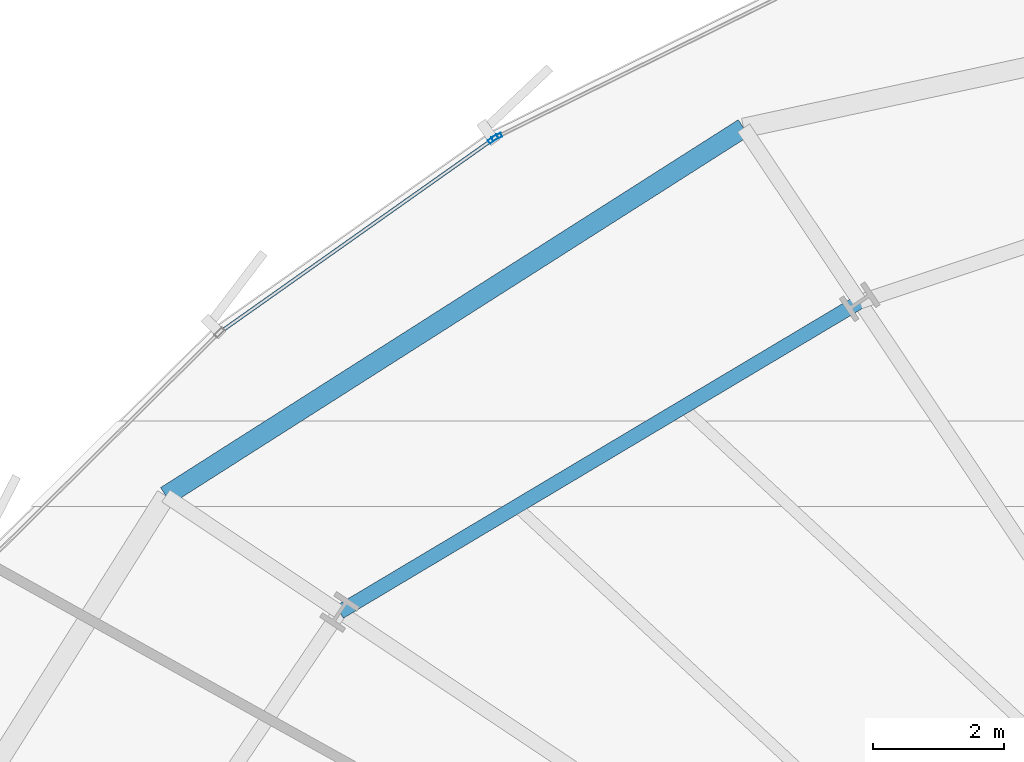
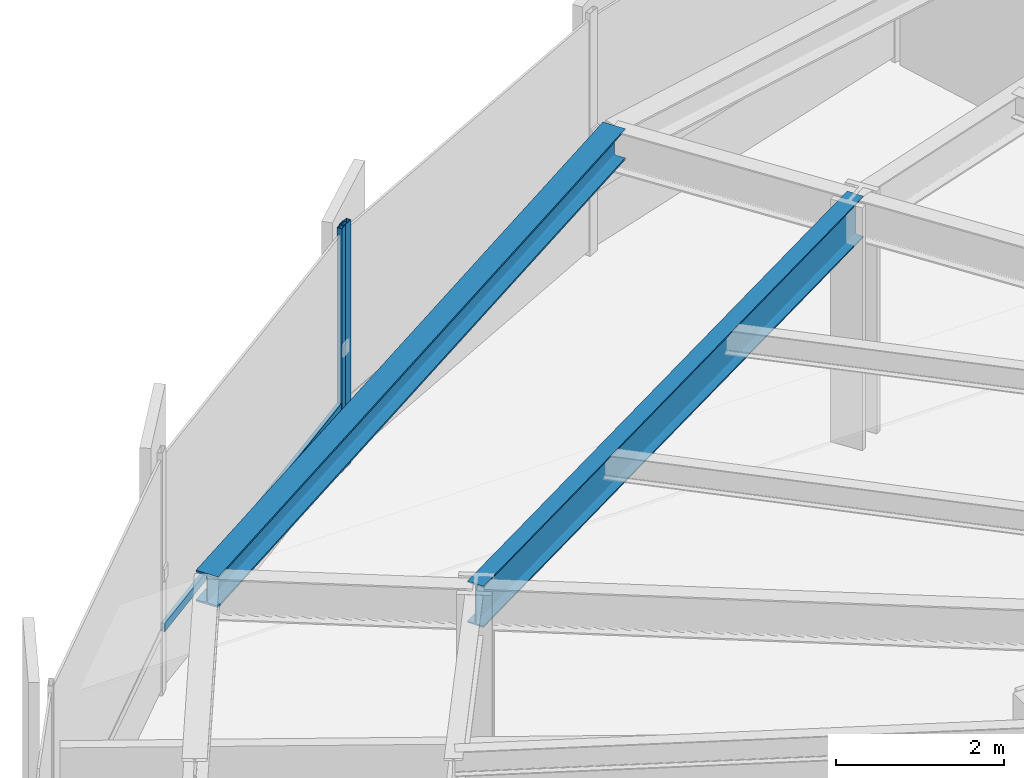
# One storey, part 19 of 38: 3 members, 2 beams, 2 elements without a shape of their own.
"""IFC4 building model written with IfcOpenShell, lengths in metres."""

import ifcopenshell
import ifcopenshell.guid

model = None  # the IFC model being written
_history = None  # IfcOwnerHistory: only IFC2X3 demands one
_inside = {}  # id of a spatial element -> (the spatial element, [elements in it])
_under = {}  # id of a project, library or spatial element -> (it, [spatial elements below it])
_declared = {}  # id of a project -> (the project, [libraries it declares])
_typed = {}  # id of a type object -> (the type object, [elements of that type])
_made_of = {}  # id of a material, layer set ... -> (it, [elements and type objects made of it])


def new_model(schema):
    """Start an empty IFC model of exactly this schema.

    Asked for "IFC4X3", IfcOpenShell would pick the latest addendum, in which some entities
    have other attributes; the version numbers below select the first issue.
    IFC2X3 requires an IfcOwnerHistory on every rooted entity: one is made here for all.
    """
    global model, _history
    if schema == "IFC4X3":
        model = ifcopenshell.file(schema_version=(4, 3, 0, 0))
    else:
        model = ifcopenshell.file(schema=schema)
    _inside.clear()
    _under.clear()
    _declared.clear()
    _typed.clear()
    _made_of.clear()
    _history = None
    if model.schema == "IFC2X3":
        org = make("IfcOrganization", Name="unknown")
        user = make(
            "IfcPersonAndOrganization",
            ThePerson=make("IfcPerson", FamilyName="unknown"),
            TheOrganization=org,
        )
        app = make(
            "IfcApplication",
            ApplicationDeveloper=org,
            Version="unknown",
            ApplicationFullName="unknown",
            ApplicationIdentifier="unknown",
        )
        _history = make(
            "IfcOwnerHistory",
            OwningUser=user,
            OwningApplication=app,
            ChangeAction="ADDED",
            CreationDate=0,
        )
    return model


def make(cls, **values):
    """One entity of the class cls with the attributes given. An attribute that is None is left unset."""
    return model.create_entity(
        cls, **{name: value for name, value in values.items() if value is not None}
    )


def rooted(cls, **values):
    """An entity with a GlobalId (a new one), such as an element, a storey or a relation."""
    return make(cls, GlobalId=ifcopenshell.guid.new(), OwnerHistory=_history, **values)


def si_unit(unit_type, name, prefix=None):
    """IfcSIUnit, for example si_unit("LENGTHUNIT", "METRE", prefix="MILLI")."""
    return make("IfcSIUnit", UnitType=unit_type, Prefix=prefix, Name=name)


def assignment(units):
    """IfcUnitAssignment: the units of a project."""
    return None if units is None else make("IfcUnitAssignment", Units=units)


def point(xyz):
    """IfcCartesianPoint."""
    return None if xyz is None else make("IfcCartesianPoint", Coordinates=xyz)


def direction(xyz):
    """IfcDirection."""
    return None if xyz is None else make("IfcDirection", DirectionRatios=xyz)


def frame(location, z_axis=None, x_axis=None):
    """IfcAxis2Placement3D, a coordinate frame: its origin and axes. An axis left out is left unset."""
    return make(
        "IfcAxis2Placement3D",
        Location=point(location),
        Axis=direction(z_axis),
        RefDirection=direction(x_axis),
    )


def frame_2d(location, x_axis=None):
    """IfcAxis2Placement2D, a coordinate frame in the plane: its origin and x axis."""
    return make(
        "IfcAxis2Placement2D", Location=point(location), RefDirection=direction(x_axis)
    )


def origin():
    """The frame at (0, 0, 0) with its axes left unset."""
    return frame((0.0, 0.0, 0.0))


def origin_2d():
    """The frame at (0, 0) in the plane with its x axis left unset."""
    return frame_2d((0.0, 0.0))


def place(relative_to, where):
    """IfcLocalPlacement: puts the frame where relative to a parent placement (None: the world)."""
    return make(
        "IfcLocalPlacement", PlacementRelTo=relative_to, RelativePlacement=where
    )


def context(
    kind, dimensions, precision=None, world=None, true_north=None, identifier=None
):
    """IfcGeometricRepresentationContext, for example the 3D "Model" context."""
    return make(
        "IfcGeometricRepresentationContext",
        ContextIdentifier=identifier,
        ContextType=kind,
        CoordinateSpaceDimension=dimensions,
        Precision=precision,
        WorldCoordinateSystem=world,
        TrueNorth=true_north,
    )


def subcontext(parent, identifier, kind, view, scale=None):
    """IfcGeometricRepresentationSubContext, for example "Body" below "Model"."""
    return make(
        "IfcGeometricRepresentationSubContext",
        ContextIdentifier=identifier,
        ContextType=kind,
        ParentContext=parent,
        TargetScale=scale,
        TargetView=view,
    )


def project(units=None, contexts=None):
    """IfcProject with its units and contexts."""
    return rooted(
        "IfcProject",
        Name="project",
        RepresentationContexts=contexts,
        UnitsInContext=assignment(units),
    )


def spatial(cls, under=None, at=None, **own):
    """A site, building, storey or space (cls), placed at a placement, below another one or the project."""
    s = rooted(cls, ObjectPlacement=at, **own)
    if under is not None:
        _under.setdefault(under.id(), (under, []))[1].append(s)
    return s


def profile(cls, at=None, kind="AREA", **sizes):
    """A parametric profile (cls). Its sizes go by their IFC names, for example OverallWidth=200.0."""
    return make(cls, ProfileType=kind, Position=at, **sizes)


def hollow_rectangle(**sizes):
    """IfcRectangleHollowProfileDef."""
    return profile("IfcRectangleHollowProfileDef", **sizes)


def i_section(**sizes):
    """IfcIShapeProfileDef."""
    return profile("IfcIShapeProfileDef", **sizes)


def extrude(swept, where, along, depth):
    """IfcExtrudedAreaSolid: the profile swept, set in the frame where, extruded along a direction by depth."""
    return make(
        "IfcExtrudedAreaSolid",
        SweptArea=swept,
        Position=where,
        ExtrudedDirection=direction(along),
        Depth=depth,
    )


def shape(context_of_items, identifier, shape_type, items):
    """IfcShapeRepresentation: the items that make up one representation, for example the "Body"."""
    return make(
        "IfcShapeRepresentation",
        ContextOfItems=context_of_items,
        RepresentationIdentifier=identifier,
        RepresentationType=shape_type,
        Items=items,
    )


def source(mapping_origin, context_of_items, identifier, shape_type, items):
    """IfcRepresentationMap: a shape defined once, which mapped items show again and again."""
    return make(
        "IfcRepresentationMap",
        MappingOrigin=mapping_origin,
        MappedRepresentation=shape(context_of_items, identifier, shape_type, items),
    )


def transform(
    local_origin,
    x_axis=None,
    y_axis=None,
    z_axis=None,
    scale=None,
    scale2=None,
    scale3=None,
    uniform=True,
):
    """IfcCartesianTransformationOperator3D, or its non-uniform kind. x_axis, y_axis, z_axis: its Axis1, 2, 3."""
    if uniform:
        return make(
            "IfcCartesianTransformationOperator3D",
            Axis1=direction(x_axis),
            Axis2=direction(y_axis),
            LocalOrigin=point(local_origin),
            Scale=scale,
            Axis3=direction(z_axis),
        )
    return make(
        "IfcCartesianTransformationOperator3DnonUniform",
        Axis1=direction(x_axis),
        Axis2=direction(y_axis),
        LocalOrigin=point(local_origin),
        Scale=scale,
        Axis3=direction(z_axis),
        Scale2=scale2,
        Scale3=scale3,
    )


def mapped(mapping_source, mapping_target):
    """IfcMappedItem: shows the shape of a source again, moved by a transform."""
    return make(
        "IfcMappedItem", MappingSource=mapping_source, MappingTarget=mapping_target
    )


def material(Name=None, Category=None):
    """IfcMaterial."""
    return make("IfcMaterial", Name=Name, Category=Category)


def layer(
    of_material, thickness, ventilated=None, Name=None, Category=None, Priority=None
):
    """IfcMaterialLayer: one layer of a wall or slab, of a material (None: an air gap)."""
    return make(
        "IfcMaterialLayer",
        Material=of_material,
        LayerThickness=thickness,
        IsVentilated=ventilated,
        Name=Name,
        Category=Category,
        Priority=Priority,
    )


def layer_set(layers, Name=None):
    """IfcMaterialLayerSet."""
    return make("IfcMaterialLayerSet", MaterialLayers=layers, LayerSetName=Name)


def material_profile(
    of_material, cross_section, Name=None, Category=None, Priority=None
):
    """IfcMaterialProfile: a cross section and its material."""
    return make(
        "IfcMaterialProfile",
        Name=Name,
        Material=of_material,
        Profile=cross_section,
        Priority=Priority,
        Category=Category,
    )


def profile_set(profiles, Name=None, composite=None):
    """IfcMaterialProfileSet."""
    return make(
        "IfcMaterialProfileSet",
        Name=Name,
        MaterialProfiles=profiles,
        CompositeProfile=composite,
    )


def made_of(thing, what):
    """Note that an element or type object is made of a material, layer set ...; save() writes the relation."""
    if what is not None:
        _made_of.setdefault(what.id(), (what, []))[1].append(thing)
    return thing


def type_object(cls, material=None, **own):
    """A type object (cls), such as IfcWallType, which elements share."""
    return made_of(rooted(cls, **own), material)


def element(
    cls,
    number,
    at=None,
    inside=None,
    cuts=None,
    type_object=None,
    material=None,
    context=None,
    identifier="Body",
    shape_type=None,
    held_by="IfcProductDefinitionShape",
    body=None,
    shapes=None,
    **own,
):
    """One element of the class cls, such as IfcWall. Its Tag is "e" and its number.

    at: its placement. inside: the storey or other place that contains it. cuts: it is an
    opening in that element (IfcRelVoidsElement). A single representation is given by context,
    identifier, shape_type and body (its items); several are given by shapes. held_by: the class
    of the entity that holds the representations. save() writes the other relations.
    """
    e = rooted(cls, Tag="e%d" % number, ObjectPlacement=at, **own)
    if body is not None:
        shapes = [shape(context, identifier, shape_type, body)]
    if shapes is not None:
        e.Representation = make(held_by, Representations=shapes)
    if inside is not None:
        _inside.setdefault(inside.id(), (inside, []))[1].append(e)
    if cuts is not None:
        rooted(
            "IfcRelVoidsElement", RelatingBuildingElement=cuts, RelatedOpeningElement=e
        )
    if type_object is not None:
        _typed.setdefault(type_object.id(), (type_object, []))[1].append(e)
    return made_of(e, material)


def aggregate(whole, parts):
    """IfcRelAggregates: a whole, such as a stair, and the parts it consists of."""
    return rooted("IfcRelAggregates", RelatingObject=whole, RelatedObjects=parts)


def save(model, path):
    """Write the relations noted so far, then the file.

    IfcRelAggregates (storeys below a building ...), IfcRelContainedInSpatialStructure (elements
    in a storey), IfcRelDefinesByType, IfcRelAssociatesMaterial and IfcRelDeclares: one each for
    every whole, place, type object, material and project.
    """
    for whole, parts in _under.values():
        aggregate(whole, parts)
    for where, things in _inside.values():
        rooted(
            "IfcRelContainedInSpatialStructure",
            RelatedElements=things,
            RelatingStructure=where,
        )
    for kind, things in _typed.values():
        rooted("IfcRelDefinesByType", RelatedObjects=things, RelatingType=kind)
    for what, things in _made_of.values():
        rooted("IfcRelAssociatesMaterial", RelatedObjects=things, RelatingMaterial=what)
    for by, libraries in _declared.values():
        rooted("IfcRelDeclares", RelatingContext=by, RelatedDefinitions=libraries)
    model.write(path)


model = new_model("IFC4")

# Units and contexts
model_context = context("Model", 3, precision=1e-05, world=origin(), true_north=direction((0.0, 1.0)))
body_context = subcontext(model_context, "Body", "Model", "MODEL_VIEW")
ifc_project = project(units=[si_unit("LENGTHUNIT", "METRE"), si_unit("AREAUNIT", "SQUARE_METRE"), si_unit("VOLUMEUNIT", "CUBIC_METRE"), si_unit("PLANEANGLEUNIT", "RADIAN"), si_unit("MASSUNIT", "GRAM", prefix="KILO"), si_unit("THERMODYNAMICTEMPERATUREUNIT", "KELVIN")], contexts=[model_context])

# Site, building, storey
site_placement = place(None, origin())
site = spatial("IfcSite", under=ifc_project, at=site_placement, CompositionType="ELEMENT")
building_placement = place(site_placement, origin())
building = spatial("IfcBuilding", under=site, at=building_placement, Name="Kethvar Cultural Tower", CompositionType="ELEMENT")
storey_placement = place(building_placement, frame((0.0, 0.0, 52.39990234375)))
storey = spatial("IfcBuildingStorey", under=building, at=storey_placement, Name="L12", CompositionType="ELEMENT", Elevation=52.39990234375)

# Beams
ifc_material_1 = material(Name="Steel S355J2", Category="steel")
ifc_material_profile_1 = material_profile(ifc_material_1, i_section(OverallWidth=0.219970703125, OverallDepth=0.60009765625, WebThickness=0.011962890625, FlangeThickness=0.01904296875, FilletRadius=0.02392578125, at=origin_2d()), Name="Steel S355J2 — IPE600")
ifc_profile_set_1 = profile_set([ifc_material_profile_1], Name="Steel S355J2 — IPE600")
beam_type_1 = type_object("IfcBeamType", Name="BM-IPE600", PredefinedType="BEAM", material=ifc_profile_set_1)
shared_shape_1 = source(origin(), body_context, "Body", "SweptSolid", [
    extrude(i_section(OverallWidth=0.219970703125, OverallDepth=0.60009765625, WebThickness=0.011962890625, FlangeThickness=0.01904296875, FilletRadius=0.02392578125, at=origin_2d()), origin(), (0.0, 0.0, 1.0), 9.270263671875),
])
beam_1_placement = place(storey_placement, frame((34.64599609375, 45.98974609375, 3.248046875), z_axis=(-0.858814626354, -0.51228647997, 0.0), x_axis=(0.51228647997, -0.858814626354, 0.0)))
element("IfcBeam", 1, at=beam_1_placement, inside=storey, type_object=beam_type_1, Name="L12 Column Ring Tie Beam CR-06", PredefinedType="BEAM", context=body_context, shape_type="MappedRepresentation", body=[
    mapped(shared_shape_1, transform((0.0, 0.0, 0.0), scale=1.0)),
])
ifc_material_profile_2 = material_profile(ifc_material_1, i_section(OverallWidth=0.300048828125, OverallDepth=0.449951171875, WebThickness=0.013916015625, FlangeThickness=0.02587890625, FilletRadius=0.027099609375, at=origin_2d()), Name="Steel S355J2 — HEB450")
ifc_profile_set_2 = profile_set([ifc_material_profile_2], Name="Steel S355J2 — HEB450")
beam_type_2 = type_object("IfcBeamType", Name="BM-SP450", PredefinedType="SPANDREL", material=ifc_profile_set_2)
shared_shape_2 = source(origin(), body_context, "Body", "SweptSolid", [
    extrude(i_section(OverallWidth=0.300048828125, OverallDepth=0.449951171875, WebThickness=0.013916015625, FlangeThickness=0.02587890625, FilletRadius=0.027099609375, at=origin_2d()), origin(), (0.0, 0.0, 1.0), 10.485107421875),
])
beam_2_placement = place(storey_placement, frame((32.8681640625, 48.650390625, 3.322998046875), z_axis=(-0.843502294633, -0.537125570932, 0.0), x_axis=(0.537125570932, -0.843502294633, 0.0)))
element("IfcBeam", 2, at=beam_2_placement, inside=storey, type_object=beam_type_2, Name="L12 Perimeter Spandrel Beam SP-06", PredefinedType="SPANDREL", context=body_context, shape_type="MappedRepresentation", body=[
    mapped(shared_shape_2, transform((0.0, 0.0, 0.0), scale=1.0)),
])

# Curtain wall, member
ifc_material_2 = material(Name="Aluminium 6063-T6", Category="aluminium")
ifc_layer = layer(ifc_material_2, 0.179931640625, Name="Aluminium 6063-T6", Category="aluminium")
ifc_layer_set = layer_set([ifc_layer], Name="Aluminium 6063-T6 (180 mm)")
curtain_wall_type = type_object("IfcCurtainWallType", Name="CW-SYS-02-Z1", PredefinedType="NOTDEFINED", material=ifc_layer_set)
curtain_wall_1_placement = place(storey_placement, origin())
curtain_wall_1 = element("IfcCurtainWall", 3, at=curtain_wall_1_placement, inside=storey, type_object=curtain_wall_type, Name="L12 Curtain Wall Run 02", PredefinedType="NOTDEFINED")
ifc_material_profile_3 = material_profile(ifc_material_2, hollow_rectangle(XDim=0.06494140625, YDim=0.159912109375, WallThickness=0.0048828125, at=origin_2d()), Name="Aluminium 6063-T6 — RHS160x65x5")
ifc_profile_set_3 = profile_set([ifc_material_profile_3], Name="Aluminium 6063-T6 — RHS160x65x5")
member_type_1 = type_object("IfcMemberType", Name="CW-SYS-02-Z1-MUL", PredefinedType="MULLION", material=ifc_profile_set_3)
shared_shape_3 = source(origin(), body_context, "Body", "SweptSolid", [
    extrude(hollow_rectangle(XDim=0.06494140625, YDim=0.159912109375, WallThickness=0.0048828125, at=origin_2d()), origin(), (0.0, 0.0, 1.0), 3.550048828125),
])
member_1_placement = place(storey_placement, frame((29.089599609375, 48.5126953125, 0.0), z_axis=(0.0, 0.0, 1.0), x_axis=(0.443384096623, -0.896331714747, 0.0)))
member_1 = element("IfcMember", 4, at=member_1_placement, type_object=member_type_1, Name="CW-L12-R02 Mullion 7", PredefinedType="MULLION", context=body_context, shape_type="MappedRepresentation", body=[
    mapped(shared_shape_3, transform((0.0, 0.0, 0.0), scale=1.0)),
])
aggregate(curtain_wall_1, [member_1])

# Curtain wall, members
curtain_wall_2_placement = place(storey_placement, origin())
curtain_wall_2 = element("IfcCurtainWall", 5, at=curtain_wall_2_placement, inside=storey, type_object=curtain_wall_type, Name="L12 Curtain Wall Run 03", PredefinedType="NOTDEFINED")
member_2_placement = place(storey_placement, frame((29.033203125, 48.47900390625, 0.0), z_axis=(0.0, 0.0, 1.0), x_axis=(0.577230705376, -0.816581112181, 0.0)))
member_2 = element("IfcMember", 6, at=member_2_placement, type_object=member_type_1, Name="CW-L12-R03 Mullion 1", PredefinedType="MULLION", context=body_context, shape_type="MappedRepresentation", body=[
    mapped(shared_shape_3, transform((0.0, 0.0, 0.0), scale=1.0)),
])
ifc_material_profile_4 = material_profile(ifc_material_2, hollow_rectangle(XDim=0.054931640625, YDim=0.1201171875, WallThickness=0.00390625, at=origin_2d()), Name="Aluminium 6063-T6 — RHS120x55x4")
ifc_profile_set_4 = profile_set([ifc_material_profile_4], Name="Aluminium 6063-T6 — RHS120x55x4")
member_type_2 = type_object("IfcMemberType", Name="CW-SYS-02-Z1-TRN", PredefinedType="USERDEFINED", material=ifc_profile_set_4)
shared_shape_4 = source(origin(), body_context, "Body", "SweptSolid", [
    extrude(hollow_rectangle(XDim=0.054931640625, YDim=0.1201171875, WallThickness=0.00390625, at=origin_2d()), origin(), (0.0, 0.0, 1.0), 5.097412109375),
])
member_3_placement = place(storey_placement, frame((29.029541015625, 48.4765625, 0.9501953125), z_axis=(-0.816574773581, -0.577239672192, 0.0), x_axis=(0.577239672192, -0.816574773581, 0.0)))
member_3 = element("IfcMember", 7, at=member_3_placement, type_object=member_type_2, Name="CW-L12-R03 Transom 1", ObjectType="TRANSOM", PredefinedType="USERDEFINED", context=body_context, shape_type="MappedRepresentation", body=[
    mapped(shared_shape_4, transform((0.0, 0.0, 0.0), scale=1.0)),
])
aggregate(curtain_wall_2, [member_2, member_3])

save(model, "model.ifc")
